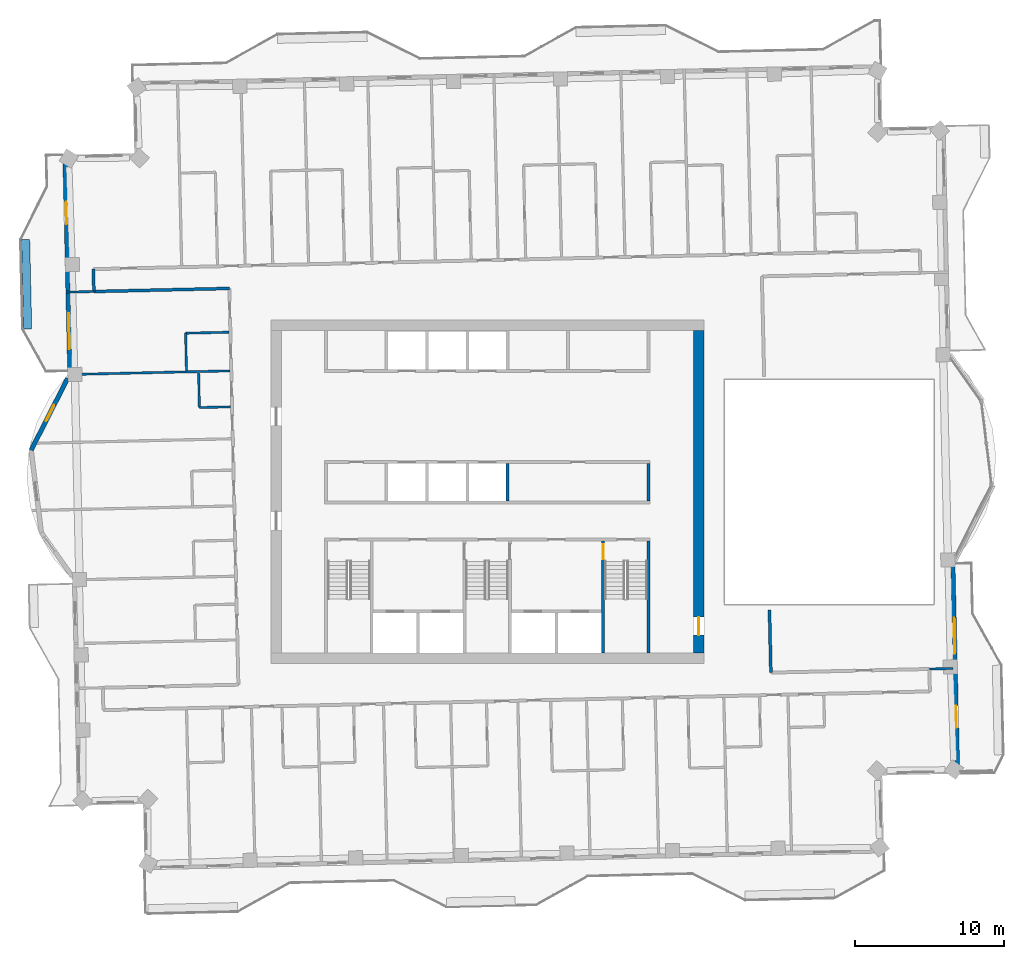
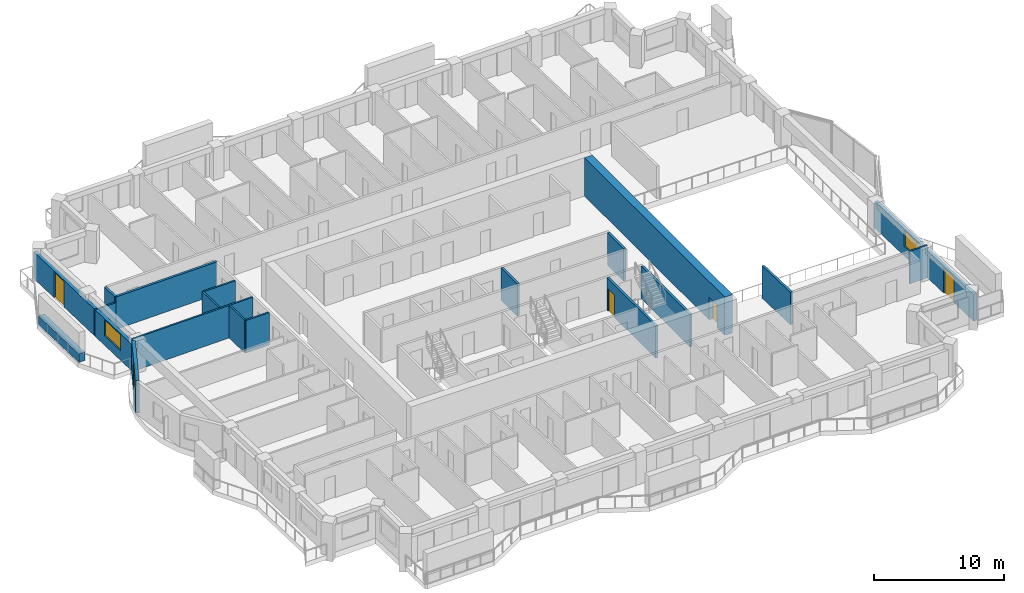
# One storey, part 12 of 19: 19 walls, 4 doors, 3 windows, 7 openings.
"""IFC4 building model written with IfcOpenShell, lengths in metres."""

from ifc_helpers import new_model, si_unit, direction, frame, frame_2d, origin, place, context, subcontext, project, spatial, rectangle, extrude, material, layer, layer_set, type_object, element, fill, save


model = new_model("IFC4")

# Units and contexts
model_context = context("Model", 3, precision=1e-05, world=origin(), true_north=direction((0.0, 1.0)))
body_context = subcontext(model_context, "Body", "Model", "MODEL_VIEW")
ifc_project = project(units=[si_unit("LENGTHUNIT", "METRE"), si_unit("AREAUNIT", "SQUARE_METRE"), si_unit("VOLUMEUNIT", "CUBIC_METRE"), si_unit("PLANEANGLEUNIT", "RADIAN"), si_unit("MASSUNIT", "GRAM", prefix="KILO")], contexts=[model_context])

# Site, building, storey
site_placement = place(None, origin())
site = spatial("IfcSite", under=ifc_project, at=site_placement, CompositionType="ELEMENT")
building_placement = place(site_placement, origin())
building = spatial("IfcBuilding", under=site, at=building_placement, Name="Mangrove Gate Tower", CompositionType="ELEMENT")
storey_placement = place(building_placement, frame((0.0, 0.0, 297.89990234375)))
storey = spatial("IfcBuildingStorey", under=building, at=storey_placement, Name="L76", CompositionType="ELEMENT", Elevation=297.89990234375)

# Walls
ifc_material_1 = material(Name="Concrete C32/40", Category="concrete")
ifc_layer_1 = layer(ifc_material_1, 0.199951171875)
ifc_layer_set_1 = layer_set([ifc_layer_1], Name="Core room wall 200 C32/40")
wall_type_1 = type_object("IfcWallType", Name="Core room wall 200 C32/40", PredefinedType="STANDARD", material=ifc_layer_set_1)
wall_1_placement = place(storey_placement, frame((10.800048828125, -0.60009765625, 0.0), z_axis=(0.0, 0.0, 1.0), x_axis=(0.0, 1.0, 0.0)))
element("IfcWall", 1, at=wall_1_placement, inside=storey, type_object=wall_type_1, Name="WALL-L76-CORE-24", PredefinedType="STANDARD", context=body_context, shape_type="SweptSolid", body=[
    extrude(rectangle(XDim=2.5, YDim=0.199951171875, at=frame_2d((1.25, 0.0))), origin(), (0.0, 0.0, 1.0), 3.050048828125),
])
ifc_material_2 = material(Name="Concrete C50/60", Category="concrete")
ifc_layer_2 = layer(ifc_material_2, 0.199951171875)
ifc_layer_set_2 = layer_set([ifc_layer_2], Name="Core shaft wall 200 C50/60")
wall_type_2 = type_object("IfcWallType", Name="Core shaft wall 200 C50/60", PredefinedType="SHEAR", material=ifc_layer_set_2)
wall_2_placement = place(storey_placement, frame((1.35009765625, -0.60009765625, 0.0), z_axis=(0.0, 0.0, 1.0), x_axis=(0.0, 1.0, 0.0)))
element("IfcWall", 2, at=wall_2_placement, inside=storey, type_object=wall_type_2, Name="WALL-L76-CORE-23", PredefinedType="SHEAR", context=body_context, shape_type="SweptSolid", body=[
    extrude(rectangle(XDim=2.5, YDim=0.199951171875, at=frame_2d((1.25, 0.0))), origin(), (0.0, 0.0, 1.0), 3.050048828125),
])

# Wall, opening, door
ifc_material_3 = material(Name="Concrete C50/60", Category="concrete")
ifc_layer_3 = layer(ifc_material_3, 0.199951171875)
ifc_layer_set_3 = layer_set([ifc_layer_3], Name="Core stair wall 200 C50/60")
wall_type_3 = type_object("IfcWallType", Name="Core stair wall 200 C50/60", PredefinedType="SHEAR", material=ifc_layer_set_3)
wall_3_placement = place(storey_placement, frame((7.75, -10.800048828125, 0.0), z_axis=(0.0, 0.0, 1.0), x_axis=(0.0, 1.0, 0.0)))
wall_3 = element("IfcWall", 3, at=wall_3_placement, inside=storey, type_object=wall_type_3, Name="WALL-L76-CORE-13", PredefinedType="SHEAR", context=body_context, shape_type="SweptSolid", body=[
    extrude(rectangle(XDim=7.5, YDim=0.199951171875, at=frame_2d((3.75, 0.0))), origin(), (0.0, 0.0, 1.0), 3.050048828125),
])
opening_1_placement = place(wall_3_placement, frame((6.300048828125, 0.0, 0.0)))
opening_1 = element("IfcOpeningElement", 4, at=opening_1_placement, cuts=wall_3, Name="Opening STD10", PredefinedType="OPENING", context=body_context, shape_type="SweptSolid", body=[
    extrude(rectangle(XDim=1.0, YDim=2.10009765625, at=frame_2d((0.5, 1.050048828125))), frame((0.0, 0.10986328125, 0.0), z_axis=(0.0, -1.0, 0.0), x_axis=(1.0, 0.0, 0.0)), (0.0, 0.0, 1.0), 0.219970703125),
])
ifc_material_4 = material(Name="Fire-rated steel door set", Category="steel")
door_type_1 = type_object("IfcDoorType", Name="Stair door FD60 1000x2100", OperationType="SINGLE_SWING_RIGHT", PredefinedType="DOOR", material=ifc_material_4)
door_1_placement = place(opening_1_placement, origin())
door_1 = element("IfcDoor", 5, at=door_1_placement, inside=storey, type_object=door_type_1, Name="Stair door Stair 3 from fire-fighting lobby", OperationType="SINGLE_SWING_RIGHT", OverallHeight=2.10009765625, OverallWidth=1.0, PredefinedType="DOOR", context=body_context, shape_type="SweptSolid", body=[
    extrude(rectangle(XDim=1.0, YDim=2.10009765625, at=frame_2d((0.5, 1.050048828125))), frame((0.0, 0.02490234375, 0.0), z_axis=(0.0, -1.0, 0.0), x_axis=(1.0, 0.0, 0.0)), (0.0, 0.0, 1.0), 0.050048828125),
])
fill(opening_1, door_1)

# Wall
wall_4_placement = place(storey_placement, frame((10.800048828125, -10.800048828125, 0.0), z_axis=(0.0, 0.0, 1.0), x_axis=(0.0, 1.0, 0.0)))
element("IfcWall", 6, at=wall_4_placement, inside=storey, type_object=wall_type_3, Name="WALL-L76-CORE-14", PredefinedType="SHEAR", context=body_context, shape_type="SweptSolid", body=[
    extrude(rectangle(XDim=7.5, YDim=0.199951171875, at=frame_2d((3.75, 0.0))), origin(), (0.0, 0.0, 1.0), 3.050048828125),
])

# Wall, opening, door
ifc_material_5 = material(Name="Concrete C50/60", Category="concrete")
ifc_layer_4 = layer(ifc_material_5, 0.699951171875)
ifc_layer_set_4 = layer_set([ifc_layer_4], Name="Core wall 700 C50/60")
wall_type_4 = type_object("IfcWallType", Name="Core wall 700 C50/60", PredefinedType="SHEAR", material=ifc_layer_set_4)
wall_5_placement = place(storey_placement, frame((14.14990234375, -10.800048828125, 0.0), z_axis=(0.0, 0.0, 1.0), x_axis=(0.0, 1.0, 0.0)))
wall_5 = element("IfcWall", 7, at=wall_5_placement, inside=storey, type_object=wall_type_4, Name="WALL-L76-CORE-4", PredefinedType="SHEAR", context=body_context, shape_type="SweptSolid", body=[
    extrude(rectangle(XDim=21.60009765625, YDim=0.699951171875, at=frame_2d((10.800048828125, 0.0))), origin(), (0.0, 0.0, 1.0), 3.60009765625),
])
opening_2_placement = place(wall_5_placement, frame((1.199951171875, 0.0, 0.0)))
opening_2 = element("IfcOpeningElement", 8, at=opening_2_placement, cuts=wall_5, Name="Opening CD", PredefinedType="OPENING", context=body_context, shape_type="SweptSolid", body=[
    extrude(rectangle(XDim=1.199951171875, YDim=2.10009765625, at=frame_2d((0.60009765625, 1.050048828125))), frame((0.0, 0.35986328125, 0.0), z_axis=(0.0, -1.0, 0.0), x_axis=(1.0, 0.0, 0.0)), (0.0, 0.0, 1.0), 0.719970703125),
])
ifc_material_6 = material(Name="Fire-rated steel door set", Category="steel")
door_type_2 = type_object("IfcDoorType", Name="Core ring door FD60 1200x2100", OperationType="DOUBLE_DOOR_SINGLE_SWING", PredefinedType="DOOR", material=ifc_material_6)
door_2_placement = place(opening_2_placement, origin())
door_2 = element("IfcDoor", 9, at=door_2_placement, inside=storey, type_object=door_type_2, Name="Core ring door E1", OperationType="DOUBLE_DOOR_SINGLE_SWING", OverallHeight=2.10009765625, OverallWidth=1.199951171875, PredefinedType="DOOR", context=body_context, shape_type="SweptSolid", body=[
    extrude(rectangle(XDim=1.199951171875, YDim=2.10009765625, at=frame_2d((0.60009765625, 1.050048828125))), frame((0.0, 0.02490234375, 0.0), z_axis=(0.0, -1.0, 0.0), x_axis=(1.0, 0.0, 0.0)), (0.0, 0.0, 1.0), 0.050048828125),
])
fill(opening_2, door_2)

# Walls
ifc_material_7 = material(Name="Gypsum board on steel stud, EI 60", Category="steel")
ifc_layer_5 = layer(ifc_material_7, 0.199951171875)
ifc_layer_set_5 = layer_set([ifc_layer_5], Name="Corridor wall EI 60")
wall_type_5 = type_object("IfcWallType", Name="Corridor wall EI 60", PredefinedType="PARTITIONING", material=ifc_layer_set_5)
wall_6_placement = place(storey_placement, frame((18.987060546875, -12.10888671875, 0.0), z_axis=(0.0, 0.0, 1.0), x_axis=(-0.022807092041, 0.999739884446, 0.0)))
element("IfcWall", 10, at=wall_6_placement, inside=storey, type_object=wall_type_5, Name="WALL-L76-036", PredefinedType="PARTITIONING", context=body_context, shape_type="SweptSolid", body=[
    extrude(rectangle(XDim=4.206787109375, YDim=0.199951171875, at=frame_2d((2.103515625, 0.0))), origin(), (0.0, 0.0, 1.0), 3.050048828125),
])
wall_7_placement = place(storey_placement, frame((-26.366943359375, 13.4189453125, 0.0), z_axis=(0.0, 0.0, 1.0), x_axis=(0.999742888587, 0.022675024131, 0.0)))
element("IfcWall", 11, at=wall_7_placement, inside=storey, type_object=wall_type_5, Name="WALL-L76-055", PredefinedType="PARTITIONING", context=body_context, shape_type="SweptSolid", body=[
    extrude(rectangle(XDim=9.08740234375, YDim=0.199951171875, at=frame_2d((4.543701171875, 0.0))), origin(), (0.0, 0.0, 1.0), 3.050048828125),
])
wall_8_placement = place(storey_placement, frame((-26.364013671875, 13.4189453125, 0.0), z_axis=(0.0, 0.0, 1.0), x_axis=(-0.022632637625, 0.99974384905, 0.0)))
element("IfcWall", 12, at=wall_8_placement, inside=storey, type_object=wall_type_5, Name="WALL-L76-056", PredefinedType="PARTITIONING", context=body_context, shape_type="SweptSolid", body=[
    extrude(rectangle(XDim=1.49951171875, YDim=0.199951171875, at=frame_2d((0.749755859375, 0.0))), origin(), (0.0, 0.0, 1.0), 3.050048828125),
])

# Wall, openings, door, window
ifc_material_8 = material(Name="Limestone", Category="masonry")
ifc_layer_6 = layer(ifc_material_8, 0.0400390625, Name="Limestone cladding")
ifc_material_9 = material(Name="Ventilated air gap")
ifc_layer_7 = layer(ifc_material_9, 0.0400390625, Name="Ventilated cavity")
ifc_material_10 = material(Name="Mineral wool insulation")
ifc_layer_8 = layer(ifc_material_10, 0.06005859375, Name="Insulation")
ifc_material_11 = material(Name="Breather membrane")
ifc_layer_9 = layer(ifc_material_11, 0.001953125, Name="Breather membrane")
ifc_material_12 = material(Name="Concrete C20/25 blockwork", Category="masonry")
ifc_layer_10 = layer(ifc_material_12, 0.14990234375, Name="Blockwork backing wall")
ifc_material_13 = material(Name="Gypsum plaster")
ifc_layer_11 = layer(ifc_material_13, 0.008056640625, Name="Internal plaster")
ifc_layer_set_6 = layer_set([ifc_layer_6, ifc_layer_7, ifc_layer_8, ifc_layer_9, ifc_layer_10, ifc_layer_11], Name="External wall 300 limestone cladding")
wall_type_6 = type_object("IfcWallType", Name="External wall 300 limestone cladding", PredefinedType="SOLIDWALL", material=ifc_layer_set_6)
wall_9_placement = place(storey_placement, frame((31.488037109375, -18.72705078125, 0.0), z_axis=(0.0, 0.0, 1.0), x_axis=(-0.022666132143, 0.999743090226, 0.0)))
wall_9 = element("IfcWall", 13, at=wall_9_placement, inside=storey, type_object=wall_type_6, Name="WALL-L76-E0s1", PredefinedType="SOLIDWALL", context=body_context, shape_type="SweptSolid", body=[
    extrude(rectangle(XDim=14.648681640625, YDim=0.300048828125, at=frame_2d((7.32421875, 0.0))), origin(), (0.0, 0.0, 1.0), 2.5),
])
opening_3_placement = place(wall_9_placement, frame((2.9150390625, 0.0, 0.0)))
opening_3 = element("IfcOpeningElement", 14, at=opening_3_placement, cuts=wall_9, Name="Opening BD1", PredefinedType="OPENING", context=body_context, shape_type="SweptSolid", body=[
    extrude(rectangle(XDim=1.5, YDim=2.39990234375, at=frame_2d((0.75, 1.199951171875))), frame((0.0, 0.159912109375, 0.0), z_axis=(0.0, -1.0, 0.0), x_axis=(1.0, 0.0, 0.0)), (0.0, 0.0, 1.0), 0.320068359375),
])
opening_4_placement = place(wall_9_placement, frame((7.89501953125, 0.0, 0.89990234375)))
opening_4 = element("IfcOpeningElement", 15, at=opening_4_placement, cuts=wall_9, Name="Opening W2", PredefinedType="OPENING", context=body_context, shape_type="SweptSolid", body=[
    extrude(rectangle(XDim=2.39990234375, YDim=1.5, at=frame_2d((1.199951171875, 0.75))), frame((0.0, 0.159912109375, 0.0), z_axis=(0.0, -1.0, 0.0), x_axis=(1.0, 0.0, 0.0)), (0.0, 0.0, 1.0), 0.320068359375),
])
ifc_material_14 = material(Name="Aluminium frame with laminated clear glass", Category="aluminium")
door_type_3 = type_object("IfcDoorType", Name="Balcony sliding door 1500x2400", OperationType="SLIDING_TO_LEFT", PredefinedType="DOOR", material=ifc_material_14)
door_3_placement = place(opening_3_placement, origin())
door_3 = element("IfcDoor", 16, at=door_3_placement, inside=storey, type_object=door_type_3, Name="DOOR-L76-E0-1", OperationType="SLIDING_TO_LEFT", OverallHeight=2.39990234375, OverallWidth=1.5, PredefinedType="DOOR", context=body_context, shape_type="SweptSolid", body=[
    extrude(rectangle(XDim=1.5, YDim=2.39990234375, at=frame_2d((0.75, 1.199951171875))), frame((0.0, 0.02490234375, 0.0), z_axis=(0.0, -1.0, 0.0), x_axis=(1.0, 0.0, 0.0)), (0.0, 0.0, 1.0), 0.050048828125),
])
fill(opening_3, door_3)
ifc_material_15 = material(Name="Aluminium frame with double-glazed low-e glass", Category="aluminium")
window_type_1 = type_object("IfcWindowType", Name="Corner room window 2400x1500", PartitioningType="DOUBLE_PANEL_VERTICAL", PredefinedType="WINDOW", material=ifc_material_15)
window_1_placement = place(opening_4_placement, origin())
window_1 = element("IfcWindow", 17, at=window_1_placement, inside=storey, type_object=window_type_1, Name="WIN-L76-E0-2", OverallHeight=1.5, OverallWidth=2.39990234375, PartitioningType="DOUBLE_PANEL_VERTICAL", PredefinedType="WINDOW", context=body_context, shape_type="SweptSolid", body=[
    extrude(rectangle(XDim=2.39990234375, YDim=1.5, at=frame_2d((1.199951171875, 0.75))), frame((0.0, 0.030029296875, 0.0), z_axis=(0.0, -1.0, 0.0), x_axis=(1.0, 0.0, 0.0)), (0.0, 0.0, 1.0), 0.06005859375),
])
fill(opening_4, window_1)

wall_10_placement = place(storey_placement, frame((-28.297119140625, 22.427001953125, 0.0), z_axis=(0.0, 0.0, 1.0), x_axis=(0.02269714286, -0.999742386671, 0.0)))
wall_10 = element("IfcWall", 18, at=wall_10_placement, inside=storey, type_object=wall_type_6, Name="WALL-L76-W8", PredefinedType="SOLIDWALL", context=body_context, shape_type="SweptSolid", body=[
    extrude(rectangle(XDim=14.628662109375, YDim=0.300048828125, at=frame_2d((7.314453125, 0.0))), origin(), (0.0, 0.0, 1.0), 2.5),
])
opening_5_placement = place(wall_10_placement, frame((3.001953125, 0.0, 0.0)))
opening_5 = element("IfcOpeningElement", 19, at=opening_5_placement, cuts=wall_10, Name="Opening BD1", PredefinedType="OPENING", context=body_context, shape_type="SweptSolid", body=[
    extrude(rectangle(XDim=1.5, YDim=2.39990234375, at=frame_2d((0.75, 1.199951171875))), frame((0.0, 0.159912109375, 0.0), z_axis=(0.0, -1.0, 0.0), x_axis=(1.0, 0.0, 0.0)), (0.0, 0.0, 1.0), 0.320068359375),
])
opening_6_placement = place(wall_10_placement, frame((10.47509765625, 0.0, 0.89990234375)))
opening_6 = element("IfcOpeningElement", 20, at=opening_6_placement, cuts=wall_10, Name="Opening W2", PredefinedType="OPENING", context=body_context, shape_type="SweptSolid", body=[
    extrude(rectangle(XDim=2.39990234375, YDim=1.5, at=frame_2d((1.199951171875, 0.75))), frame((0.0, 0.159912109375, 0.0), z_axis=(0.0, -1.0, 0.0), x_axis=(1.0, 0.0, 0.0)), (0.0, 0.0, 1.0), 0.320068359375),
])
door_4_placement = place(opening_5_placement, origin())
door_4 = element("IfcDoor", 21, at=door_4_placement, inside=storey, type_object=door_type_3, Name="DOOR-L76-W8-1", OperationType="SLIDING_TO_LEFT", OverallHeight=2.39990234375, OverallWidth=1.5, PredefinedType="DOOR", context=body_context, shape_type="SweptSolid", body=[
    extrude(rectangle(XDim=1.5, YDim=2.39990234375, at=frame_2d((0.75, 1.199951171875))), frame((0.0, 0.02490234375, 0.0), z_axis=(0.0, -1.0, 0.0), x_axis=(1.0, 0.0, 0.0)), (0.0, 0.0, 1.0), 0.050048828125),
])
fill(opening_5, door_4)
window_2_placement = place(opening_6_placement, origin())
window_2 = element("IfcWindow", 22, at=window_2_placement, inside=storey, type_object=window_type_1, Name="WIN-L76-W8-2", OverallHeight=1.5, OverallWidth=2.39990234375, PartitioningType="DOUBLE_PANEL_VERTICAL", PredefinedType="WINDOW", context=body_context, shape_type="SweptSolid", body=[
    extrude(rectangle(XDim=2.39990234375, YDim=1.5, at=frame_2d((1.199951171875, 0.75))), frame((0.0, 0.030029296875, 0.0), z_axis=(0.0, -1.0, 0.0), x_axis=(1.0, 0.0, 0.0)), (0.0, 0.0, 1.0), 0.06005859375),
])
fill(opening_6, window_2)

# Wall, opening, window
wall_11_placement = place(storey_placement, frame((-28.1201171875, 7.60791015625, 0.0), z_axis=(0.0, 0.0, 1.0), x_axis=(-0.45266802131, -0.891679125293, 0.0)))
wall_11 = element("IfcWall", 23, at=wall_11_placement, inside=storey, type_object=wall_type_6, Name="WALL-L76-W9f1", PredefinedType="SOLIDWALL", context=body_context, shape_type="SweptSolid", body=[
    extrude(rectangle(XDim=5.398681640625, YDim=0.300048828125, at=frame_2d((2.69921875, 0.0))), origin(), (0.0, 0.0, 1.0), 3.050048828125),
])
opening_7_placement = place(wall_11_placement, frame((2.008056640625, 0.0, 0.89990234375)))
opening_7 = element("IfcOpeningElement", 24, at=opening_7_placement, cuts=wall_11, Name="Opening W1", PredefinedType="OPENING", context=body_context, shape_type="SweptSolid", body=[
    extrude(rectangle(XDim=1.199951171875, YDim=1.5, at=frame_2d((0.60009765625, 0.75))), frame((0.0, 0.159912109375, 0.0), z_axis=(0.0, -1.0, 0.0), x_axis=(1.0, 0.0, 0.0)), (0.0, 0.0, 1.0), 0.320068359375),
])
ifc_material_16 = material(Name="Aluminium frame with double-glazed low-e glass", Category="aluminium")
window_type_2 = type_object("IfcWindowType", Name="Side lite 1200x1500", PartitioningType="SINGLE_PANEL", PredefinedType="WINDOW", material=ifc_material_16)
window_3_placement = place(opening_7_placement, origin())
window_3 = element("IfcWindow", 25, at=window_3_placement, inside=storey, type_object=window_type_2, Name="WIN-L76-W9f1", OverallHeight=1.5, OverallWidth=1.199951171875, PartitioningType="SINGLE_PANEL", PredefinedType="WINDOW", context=body_context, shape_type="SweptSolid", body=[
    extrude(rectangle(XDim=1.199951171875, YDim=1.5, at=frame_2d((0.60009765625, 0.75))), frame((0.0, 0.030029296875, 0.0), z_axis=(0.0, -1.0, 0.0), x_axis=(1.0, 0.0, 0.0)), (0.0, 0.0, 1.0), 0.06005859375),
])
fill(opening_7, window_3)

# Walls
ifc_material_17 = material(Name="Gypsum board on steel stud, EI 60", Category="steel")
ifc_layer_12 = layer(ifc_material_17, 0.14990234375)
ifc_layer_set_7 = layer_set([ifc_layer_12], Name="Party wall 150 EI 60")
wall_type_7 = type_object("IfcWallType", Name="Party wall 150 EI 60", PredefinedType="PARTITIONING", material=ifc_layer_set_7)
wall_12_placement = place(storey_placement, frame((29.60302734375, -11.867919921875, 0.0), z_axis=(0.0, 0.0, 1.0), x_axis=(0.999741755729, 0.022724916977, 0.0)))
element("IfcWall", 26, at=wall_12_placement, inside=storey, type_object=wall_type_7, Name="WALL-L76-037", PredefinedType="PARTITIONING", context=body_context, shape_type="SweptSolid", body=[
    extrude(rectangle(XDim=1.579345703125, YDim=0.14990234375, at=frame_2d((0.78955078125, 0.0))), origin(), (0.0, 0.0, 1.0), 3.050048828125),
])
wall_13_placement = place(storey_placement, frame((-19.301025390625, 5.64697265625, 0.0), z_axis=(0.0, 0.0, 1.0), x_axis=(0.999748159451, 0.022441427631, 0.0)))
element("IfcWall", 27, at=wall_13_placement, inside=storey, type_object=wall_type_7, Name="WALL-L76-048", PredefinedType="PARTITIONING", context=body_context, shape_type="SweptSolid", body=[
    extrude(rectangle(XDim=2.099609375, YDim=0.14990234375, at=frame_2d((1.0498046875, 0.0))), origin(), (0.0, 0.0, 1.0), 3.050048828125),
])
wall_14_placement = place(storey_placement, frame((-19.2958984375, 5.652099609375, 0.0), z_axis=(0.0, 0.0, 1.0), x_axis=(-0.022895561926, 0.999737862264, 0.0)))
element("IfcWall", 28, at=wall_14_placement, inside=storey, type_object=wall_type_7, Name="WALL-L76-049", PredefinedType="PARTITIONING", context=body_context, shape_type="SweptSolid", body=[
    extrude(rectangle(XDim=2.324462890625, YDim=0.14990234375, at=frame_2d((1.162109375, 0.0))), origin(), (0.0, 0.0, 1.0), 3.050048828125),
])
wall_15_placement = place(storey_placement, frame((-20.162109375, 8.10791015625, 0.0), z_axis=(0.0, 0.0, 1.0), x_axis=(-0.022530308093, 0.999746160391, 0.0)))
element("IfcWall", 29, at=wall_15_placement, inside=storey, type_object=wall_type_7, Name="WALL-L76-051", PredefinedType="PARTITIONING", context=body_context, shape_type="SweptSolid", body=[
    extrude(rectangle(XDim=2.52490234375, YDim=0.14990234375, at=frame_2d((1.262451171875, 0.0))), origin(), (0.0, 0.0, 1.0), 3.050048828125),
])
wall_16_placement = place(storey_placement, frame((-28.115966796875, 7.85693359375, 0.0), z_axis=(0.0, 0.0, 1.0), x_axis=(0.999741301527, 0.022744890004, 0.0)))
element("IfcWall", 30, at=wall_16_placement, inside=storey, type_object=wall_type_7, Name="WALL-L76-052", PredefinedType="PARTITIONING", context=body_context, shape_type="SweptSolid", body=[
    extrude(rectangle(XDim=10.86279296875, YDim=0.14990234375, at=frame_2d((5.431396484375, 0.0))), origin(), (0.0, 0.0, 1.0), 3.050048828125),
])
wall_17_placement = place(storey_placement, frame((-20.214111328125, 10.626953125, 0.0), z_axis=(0.0, 0.0, 1.0), x_axis=(0.999739701447, 0.022815112345, 0.0)))
element("IfcWall", 31, at=wall_17_placement, inside=storey, type_object=wall_type_7, Name="WALL-L76-053", PredefinedType="PARTITIONING", context=body_context, shape_type="SweptSolid", body=[
    extrude(rectangle(XDim=2.89990234375, YDim=0.14990234375, at=frame_2d((1.449951171875, 0.0))), origin(), (0.0, 0.0, 1.0), 3.050048828125),
])
wall_18_placement = place(storey_placement, frame((-28.241943359375, 13.3759765625, 0.0), z_axis=(0.0, 0.0, 1.0), x_axis=(0.999738606422, 0.022863045053, 0.0)))
element("IfcWall", 32, at=wall_18_placement, inside=storey, type_object=wall_type_7, Name="WALL-L76-054", PredefinedType="PARTITIONING", context=body_context, shape_type="SweptSolid", body=[
    extrude(rectangle(XDim=1.87939453125, YDim=0.14990234375, at=frame_2d((0.939697265625, 0.0))), origin(), (0.0, 0.0, 1.0), 2.5),
])
ifc_material_18 = material(Name="Concrete C32/40", Category="concrete")
ifc_layer_13 = layer(ifc_material_18, 0.199951171875, Name="Planter trough wall")
ifc_material_19 = material(Name="Bituminous waterproofing membrane")
ifc_layer_14 = layer(ifc_material_19, 0.0048828125, Name="Waterproofing")
ifc_material_20 = material(Name="Drainage board and gravel")
ifc_layer_15 = layer(ifc_material_20, 0.044921875, Name="Drainage layer")
ifc_material_21 = material(Name="Planting soil")
ifc_layer_16 = layer(ifc_material_21, 0.300048828125, Name="Growing medium")
ifc_layer_set_8 = layer_set([ifc_layer_13, ifc_layer_14, ifc_layer_15, ifc_layer_16], Name="Planter wall 550 C32/40")
wall_type_8 = type_object("IfcWallType", Name="Planter wall 550 C32/40", PredefinedType="USERDEFINED", material=ifc_layer_set_8)
wall_19_placement = place(storey_placement, frame((-30.802001953125, 10.9169921875, 0.0), z_axis=(0.0, 0.0, 1.0), x_axis=(-0.022665943652, 0.999743094499, 0.0)))
element("IfcWall", 33, at=wall_19_placement, inside=storey, type_object=wall_type_8, Name="PLANTER L76 W0.1", ObjectType="PLANTER", PredefinedType="USERDEFINED", context=body_context, shape_type="SweptSolid", body=[
    extrude(rectangle(XDim=5.99951171875, YDim=0.550048828125, at=frame_2d((2.999755859375, 0.0))), origin(), (0.0, 0.0, 1.0), 0.800048828125),
])

save(model, "model.ifc")
